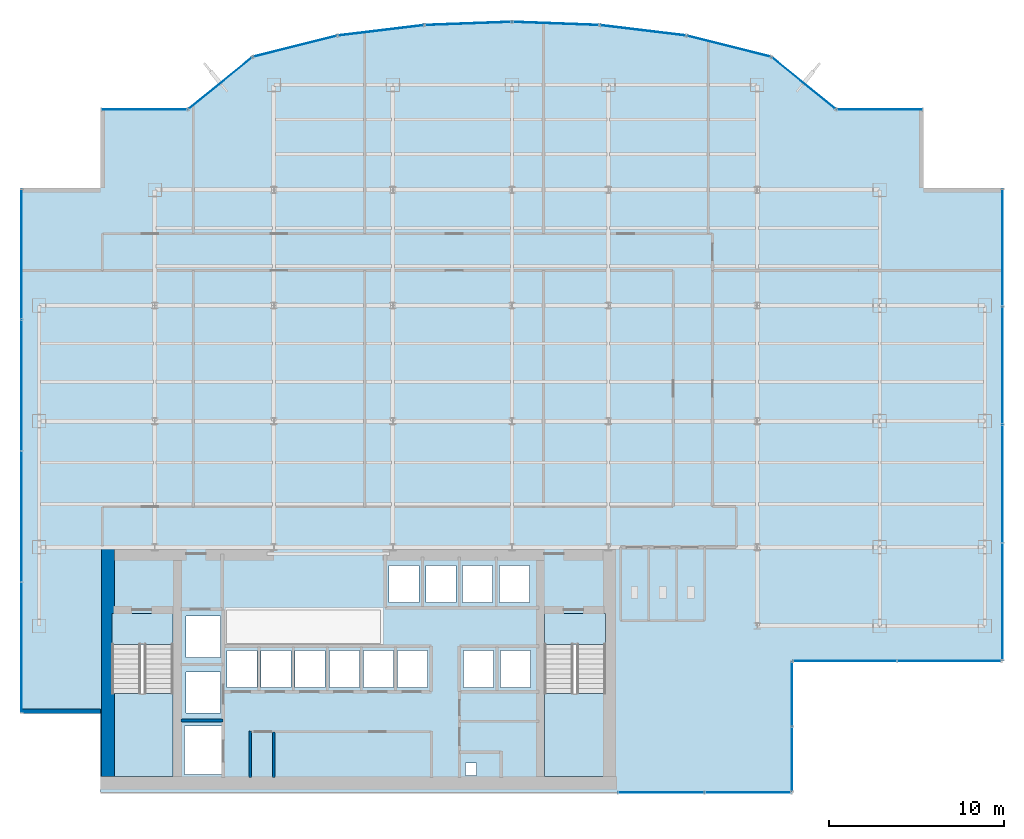
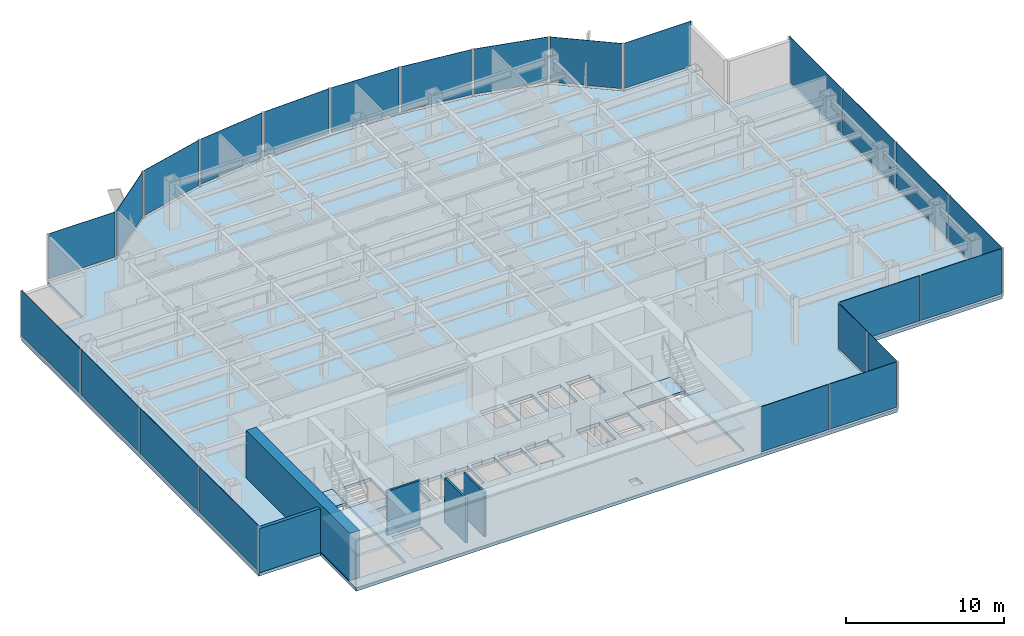
# One storey, part 20 of 26: 24 plates, 5 slabs, 5 walls, 17 elements without a shape of their own.
"""IFC4 building model written with IfcOpenShell, lengths in metres."""

from ifc_helpers import new_model, si_unit, derived_unit, direction, frame, frame_2d, origin, origin_2d, place, context, subcontext, project, spatial, polyline, rectangle, outline, extrude, source, transform, mapped, material, layer, layer_set, type_object, element, aggregate, save


model = new_model("IFC4")

# Units and contexts
model_context = context("Model", 3, precision=1e-05, world=origin(), true_north=direction((0.0, 1.0)))
body_context = subcontext(model_context, "Body", "Model", "MODEL_VIEW")
ifc_project = project(units=[si_unit("LENGTHUNIT", "METRE"), si_unit("AREAUNIT", "SQUARE_METRE"), si_unit("VOLUMEUNIT", "CUBIC_METRE"), si_unit("PLANEANGLEUNIT", "RADIAN"), si_unit("MASSUNIT", "GRAM", prefix="KILO"), derived_unit("THERMALTRANSMITTANCEUNIT", [(si_unit("POWERUNIT", "WATT"), 1), (si_unit("LENGTHUNIT", "METRE"), -2), (si_unit("THERMODYNAMICTEMPERATUREUNIT", "KELVIN"), -1)])], contexts=[model_context])

# Site, building, storey
site_placement = place(None, origin())
site = spatial("IfcSite", under=ifc_project, at=site_placement, CompositionType="ELEMENT")
building_placement = place(site_placement, origin())
building = spatial("IfcBuilding", under=site, at=building_placement, Name="Skarnbrae Concourse Arena and Tower", CompositionType="ELEMENT")
storey_placement = place(building_placement, frame((0.0, 0.0, 103.25)))
storey = spatial("IfcBuildingStorey", under=building, at=storey_placement, Name="L25", CompositionType="ELEMENT", Elevation=103.25)

# Stair, slab
ifc_material_1 = material(Name="Concrete 40 MPa (C40/50)", Category="concrete")
stair_type = type_object("IfcStairType", Name="STAIR-DOGLEG-1650", PredefinedType="HALF_TURN_STAIR", material=ifc_material_1)
stair_1_placement = place(storey_placement, origin())
stair_1 = element("IfcStair", 1, at=stair_1_placement, inside=storey, type_object=stair_type, Name="L25 Protected Exit Stair ST-1", PredefinedType="HALF_TURN_STAIR")
ifc_layer_1 = layer(ifc_material_1, 0.199951171875)
ifc_layer_set_1 = layer_set([ifc_layer_1], Name="Concrete 40 MPa (C40/50)")
slab_type_1 = type_object("IfcSlabType", Name="SLAB-LANDING-200", PredefinedType="LANDING", material=ifc_layer_set_1)
slab_1_placement = place(storey_placement, frame((0.0, 0.0, 1.625)))
slab_1 = element("IfcSlab", 2, at=slab_1_placement, type_object=slab_type_1, Name="ST-1 landing 1", PredefinedType="LANDING", context=body_context, shape_type="SweptSolid", body=[
    extrude(outline(polyline([(5.14990234375, 5.64990234375), (5.14990234375, 0.89990234375), (8.64990234375, 0.89990234375), (8.64990234375, 5.64990234375), (5.14990234375, 5.64990234375)])), origin(), (0.0, 0.0, 1.0), 0.199951171875),
])
aggregate(stair_1, [slab_1])

stair_2_placement = place(storey_placement, origin())
stair_2 = element("IfcStair", 3, at=stair_2_placement, inside=storey, type_object=stair_type, Name="L25 Protected Exit Stair ST-2", PredefinedType="HALF_TURN_STAIR")
slab_2_placement = place(storey_placement, frame((0.0, 0.0, 1.625)))
slab_2 = element("IfcSlab", 4, at=slab_2_placement, type_object=slab_type_1, Name="ST-2 landing 1", PredefinedType="LANDING", context=body_context, shape_type="SweptSolid", body=[
    extrude(outline(polyline([(29.85009765625, 5.64990234375), (29.85009765625, 0.89990234375), (33.35009765625, 0.89990234375), (33.35009765625, 5.64990234375), (29.85009765625, 5.64990234375)])), origin(), (0.0, 0.0, 1.0), 0.199951171875),
])
aggregate(stair_2, [slab_2])

# Slabs
slab_3_placement = place(storey_placement, frame((0.0, 0.0, -0.199951171875)))
element("IfcSlab", 5, at=slab_3_placement, inside=storey, type_object=slab_type_1, Name="L25 Core stair ST1 floor landing", PredefinedType="LANDING", context=body_context, shape_type="SweptSolid", body=[
    extrude(outline(polyline([(5.14990234375, 10.199951171875), (5.14990234375, 8.449951171875), (8.64990234375, 8.449951171875), (8.64990234375, 10.199951171875), (5.14990234375, 10.199951171875)])), origin(), (0.0, 0.0, 1.0), 0.199951171875),
])
slab_4_placement = place(storey_placement, frame((0.0, 0.0, -0.199951171875)))
element("IfcSlab", 6, at=slab_4_placement, inside=storey, type_object=slab_type_1, Name="L25 Core stair ST2 floor landing", PredefinedType="LANDING", context=body_context, shape_type="SweptSolid", body=[
    extrude(outline(polyline([(29.85009765625, 10.199951171875), (29.85009765625, 8.449951171875), (33.35009765625, 8.449951171875), (33.35009765625, 10.199951171875), (29.85009765625, 10.199951171875)])), origin(), (0.0, 0.0, 1.0), 0.199951171875),
])
ifc_layer_2 = layer(ifc_material_1, 0.25)
ifc_layer_set_2 = layer_set([ifc_layer_2], Name="Concrete 40 MPa (C40/50)")
slab_type_2 = type_object("IfcSlabType", Name="SLAB-TOWER-250", PredefinedType="FLOOR", material=ifc_layer_set_2)
slab_5_placement = place(storey_placement, frame((0.0, 0.0, -0.25)))
element("IfcSlab", 7, at=slab_5_placement, inside=storey, type_object=slab_type_2, Name="L25 Structural floor slab", PredefinedType="FLOOR", context=body_context, shape_type="SweptSolid", body=[
    extrude(outline(polyline([(4.5, 0.0), (44.0, 0.0), (44.0, 7.5), (56.0, 7.5), (56.0, 34.5), (51.5, 34.5), (51.5, 39.0), (46.5, 39.0), (42.81103515625, 41.99609375), (37.964111328125, 43.212890625), (32.998779296875, 43.81396484375), (28.0, 44.0), (23.001220703125, 43.81396484375), (18.035888671875, 43.212890625), (13.18896484375, 41.99609375), (9.5, 39.0), (4.5, 39.0), (4.5, 34.5), (0.0, 34.5), (0.0, 4.5), (4.5, 4.5), (4.5, 0.0)]), holes=[polyline([(9.294921875, 3.780029296875), (11.455078125, 3.780029296875), (11.455078125, 1.02001953125), (9.294921875, 1.02001953125), (9.294921875, 3.780029296875)]), polyline([(8.64990234375, 10.199951171875), (8.64990234375, 0.89990234375), (5.14990234375, 0.89990234375), (5.14990234375, 10.199951171875), (8.64990234375, 10.199951171875)]), polyline([(9.39501953125, 6.8798828125), (11.35498046875, 6.8798828125), (11.35498046875, 4.52001953125), (9.39501953125, 4.52001953125), (9.39501953125, 6.8798828125)]), polyline([(11.719970703125, 8.10498046875), (13.429931640625, 8.10498046875), (13.429931640625, 5.9951171875), (11.719970703125, 5.9951171875), (11.719970703125, 8.10498046875)]), polyline([(13.669921875, 8.10498046875), (15.3798828125, 8.10498046875), (15.3798828125, 5.9951171875), (13.669921875, 5.9951171875), (13.669921875, 8.10498046875)]), polyline([(15.6201171875, 8.10498046875), (17.330078125, 8.10498046875), (17.330078125, 5.9951171875), (15.6201171875, 5.9951171875), (15.6201171875, 8.10498046875)]), polyline([(17.570068359375, 8.10498046875), (19.280029296875, 8.10498046875), (19.280029296875, 5.9951171875), (17.570068359375, 5.9951171875), (17.570068359375, 8.10498046875)]), polyline([(21.22998046875, 8.10498046875), (21.22998046875, 5.9951171875), (19.52001953125, 5.9951171875), (19.52001953125, 8.10498046875), (21.22998046875, 8.10498046875)]), polyline([(11.35498046875, 10.054931640625), (11.35498046875, 7.695068359375), (9.39501953125, 7.695068359375), (9.39501953125, 10.054931640625), (11.35498046875, 10.054931640625)]), polyline([(25.35009765625, 1.669921875), (25.9599609375, 1.669921875), (25.9599609375, 0.949951171875), (25.35009765625, 0.949951171875), (25.35009765625, 1.669921875)]), polyline([(33.35009765625, 10.199951171875), (33.35009765625, 0.89990234375), (29.85009765625, 0.89990234375), (29.85009765625, 10.199951171875), (33.35009765625, 10.199951171875)]), polyline([(21.469970703125, 8.10498046875), (23.179931640625, 8.10498046875), (23.179931640625, 5.9951171875), (21.469970703125, 5.9951171875), (21.469970703125, 8.10498046875)]), polyline([(25.235107421875, 8.10498046875), (26.945068359375, 8.10498046875), (26.945068359375, 5.9951171875), (25.235107421875, 5.9951171875), (25.235107421875, 8.10498046875)]), polyline([(27.3349609375, 8.10498046875), (29.044921875, 8.10498046875), (29.044921875, 5.9951171875), (27.3349609375, 5.9951171875), (27.3349609375, 8.10498046875)]), polyline([(20.985107421875, 12.955078125), (22.695068359375, 12.955078125), (22.695068359375, 10.844970703125), (20.985107421875, 10.844970703125), (20.985107421875, 12.955078125)]), polyline([(23.0849609375, 12.955078125), (24.794921875, 12.955078125), (24.794921875, 10.844970703125), (23.0849609375, 10.844970703125), (23.0849609375, 12.955078125)]), polyline([(26.89501953125, 12.955078125), (26.89501953125, 10.844970703125), (25.18505859375, 10.844970703125), (25.18505859375, 12.955078125), (26.89501953125, 12.955078125)]), polyline([(28.9951171875, 12.955078125), (28.9951171875, 10.844970703125), (27.284912109375, 10.844970703125), (27.284912109375, 12.955078125), (28.9951171875, 12.955078125)])]), origin(), (0.0, 0.0, 1.0), 0.25),
])

# Curtain wall, plates
ifc_material_2 = material(Name="Bronze anodised aluminium 6063-T6", Category="aluminium")
curtain_wall_type_1 = type_object("IfcCurtainWallType", Name="CW-SYS-04-MIDZONE", PredefinedType="USERDEFINED", material=ifc_material_2)
curtain_wall_1_placement = place(storey_placement, origin())
curtain_wall_1 = element("IfcCurtainWall", 8, at=curtain_wall_1_placement, inside=storey, type_object=curtain_wall_type_1, Name="L25 Unitised curtain wall CW-L25-SE-SPINE", ObjectType="UNITISED CURTAIN WALL", PredefinedType="USERDEFINED")
ifc_material_3 = material(Name="Low-E triple insulating glass", Category="glass")
ifc_layer_3 = layer(ifc_material_3, 0.031982421875)
ifc_layer_set_3 = layer_set([ifc_layer_3], Name="Low-E triple insulating glass")
plate_type_1 = type_object("IfcPlateType", Name="CWP-CW-04", PredefinedType="CURTAIN_PANEL", material=ifc_layer_set_3)
shared_shape_1 = source(origin(), body_context, "Body", "SweptSolid", [
    extrude(rectangle(XDim=4.887451171875, YDim=0.031982421875, at=origin_2d()), origin(), (0.0, 0.0, 1.0), 3.489990234375),
])
plate_1_placement = place(storey_placement, frame((36.518798828125, 0.0, 0.16015625), z_axis=(0.0, 0.0, 1.0), x_axis=(1.0, 0.0, 0.0)))
plate_1 = element("IfcPlate", 9, at=plate_1_placement, type_object=plate_type_1, Name="CW-L25-SE-SPINE Low-E Glazing Panel 1", PredefinedType="CURTAIN_PANEL", context=body_context, shape_type="MappedRepresentation", body=[
    mapped(shared_shape_1, transform((0.0, 0.0, 0.0))),
])
plate_2_placement = place(storey_placement, frame((41.481201171875, 0.0, 0.16015625), z_axis=(0.0, 0.0, 1.0), x_axis=(1.0, 0.0, 0.0)))
plate_2 = element("IfcPlate", 10, at=plate_2_placement, type_object=plate_type_1, Name="CW-L25-SE-SPINE Low-E Glazing Panel 2", PredefinedType="CURTAIN_PANEL", context=body_context, shape_type="MappedRepresentation", body=[
    mapped(shared_shape_1, transform((0.0, 0.0, 0.0))),
])
aggregate(curtain_wall_1, [plate_1, plate_2])

curtain_wall_2_placement = place(storey_placement, origin())
curtain_wall_2 = element("IfcCurtainWall", 11, at=curtain_wall_2_placement, inside=storey, type_object=curtain_wall_type_1, Name="L25 Unitised curtain wall CW-L25-E02", ObjectType="UNITISED CURTAIN WALL", PredefinedType="USERDEFINED")
shared_shape_2 = source(origin(), body_context, "Body", "SweptSolid", [
    extrude(rectangle(XDim=3.637451171875, YDim=0.031982421875, at=origin_2d()), origin(), (0.0, 0.0, 1.0), 3.489990234375),
])
plate_3_placement = place(storey_placement, frame((44.0, 1.893798828125, 0.16015625), z_axis=(0.0, 0.0, 1.0), x_axis=(0.0, 1.0, 0.0)))
plate_3 = element("IfcPlate", 12, at=plate_3_placement, type_object=plate_type_1, Name="CW-L25-E02 Low-E Glazing Panel 1", PredefinedType="CURTAIN_PANEL", context=body_context, shape_type="MappedRepresentation", body=[
    mapped(shared_shape_2, transform((0.0, 0.0, 0.0))),
])
plate_4_placement = place(storey_placement, frame((44.0, 5.606201171875, 0.16015625), z_axis=(0.0, 0.0, 1.0), x_axis=(0.0, 1.0, 0.0)))
plate_4 = element("IfcPlate", 13, at=plate_4_placement, type_object=plate_type_1, Name="CW-L25-E02 Low-E Glazing Panel 2", PredefinedType="CURTAIN_PANEL", context=body_context, shape_type="MappedRepresentation", body=[
    mapped(shared_shape_2, transform((0.0, 0.0, 0.0))),
])
aggregate(curtain_wall_2, [plate_3, plate_4])

curtain_wall_3_placement = place(storey_placement, origin())
curtain_wall_3 = element("IfcCurtainWall", 14, at=curtain_wall_3_placement, inside=storey, type_object=curtain_wall_type_1, Name="L25 Unitised curtain wall CW-L25-E03", ObjectType="UNITISED CURTAIN WALL", PredefinedType="USERDEFINED")
shared_shape_3 = source(origin(), body_context, "Body", "SweptSolid", [
    extrude(rectangle(XDim=5.887451171875, YDim=0.031982421875, at=origin_2d()), origin(), (0.0, 0.0, 1.0), 3.489990234375),
])
plate_5_placement = place(storey_placement, frame((47.018798828125, 7.5, 0.16015625), z_axis=(0.0, 0.0, 1.0), x_axis=(1.0, 0.0, 0.0)))
plate_5 = element("IfcPlate", 15, at=plate_5_placement, type_object=plate_type_1, Name="CW-L25-E03 Low-E Glazing Panel 1", PredefinedType="CURTAIN_PANEL", context=body_context, shape_type="MappedRepresentation", body=[
    mapped(shared_shape_3, transform((0.0, 0.0, 0.0))),
])
plate_6_placement = place(storey_placement, frame((52.981201171875, 7.5, 0.16015625), z_axis=(0.0, 0.0, 1.0), x_axis=(1.0, 0.0, 0.0)))
plate_6 = element("IfcPlate", 16, at=plate_6_placement, type_object=plate_type_1, Name="CW-L25-E03 Low-E Glazing Panel 2", PredefinedType="CURTAIN_PANEL", context=body_context, shape_type="MappedRepresentation", body=[
    mapped(shared_shape_3, transform((0.0, 0.0, 0.0))),
])
aggregate(curtain_wall_3, [plate_5, plate_6])

# Curtain wall, plate
curtain_wall_4_placement = place(storey_placement, origin())
curtain_wall_4 = element("IfcCurtainWall", 17, at=curtain_wall_4_placement, inside=storey, type_object=curtain_wall_type_1, Name="L25 Unitised curtain wall CW-L25-E07", ObjectType="UNITISED CURTAIN WALL", PredefinedType="USERDEFINED")
shared_shape_4 = source(origin(), body_context, "Body", "SweptSolid", [
    extrude(rectangle(XDim=4.85009765625, YDim=0.031982421875, at=origin_2d()), origin(), (0.0, 0.0, 1.0), 3.489990234375),
])
plate_7_placement = place(storey_placement, frame((49.0, 39.0, 0.16015625), z_axis=(0.0, 0.0, 1.0), x_axis=(-1.0, 0.0, 0.0)))
plate_7 = element("IfcPlate", 18, at=plate_7_placement, type_object=plate_type_1, Name="CW-L25-E07 Low-E Glazing Panel 1", PredefinedType="CURTAIN_PANEL", context=body_context, shape_type="MappedRepresentation", body=[
    mapped(shared_shape_4, transform((0.0, 0.0, 0.0))),
])
aggregate(curtain_wall_4, [plate_7])

curtain_wall_5_placement = place(storey_placement, origin())
curtain_wall_5 = element("IfcCurtainWall", 19, at=curtain_wall_5_placement, inside=storey, type_object=curtain_wall_type_1, Name="L25 Unitised curtain wall CW-L25-E16", ObjectType="UNITISED CURTAIN WALL", PredefinedType="USERDEFINED")
plate_8_placement = place(storey_placement, frame((7.0, 39.0, 0.16015625), z_axis=(0.0, 0.0, 1.0), x_axis=(-1.0, 0.0, 0.0)))
plate_8 = element("IfcPlate", 20, at=plate_8_placement, type_object=plate_type_1, Name="CW-L25-E16 Low-E Glazing Panel 1", PredefinedType="CURTAIN_PANEL", context=body_context, shape_type="MappedRepresentation", body=[
    mapped(shared_shape_4, transform((0.0, 0.0, 0.0))),
])
aggregate(curtain_wall_5, [plate_8])

curtain_wall_6_placement = place(storey_placement, origin())
curtain_wall_6 = element("IfcCurtainWall", 21, at=curtain_wall_6_placement, inside=storey, type_object=curtain_wall_type_1, Name="L25 Unitised curtain wall CW-L25-E08", ObjectType="UNITISED CURTAIN WALL", PredefinedType="USERDEFINED")
shared_shape_5 = source(origin(), body_context, "Body", "SweptSolid", [
    extrude(rectangle(XDim=4.602294921875, YDim=0.031982421875, at=origin_2d()), origin(), (0.0, 0.0, 1.0), 3.489990234375),
])
plate_9_placement = place(storey_placement, frame((44.655517578125, 40.498046875, 0.16015625), z_axis=(0.0, 0.0, 1.0), x_axis=(-0.776241200471, 0.630436038542, 0.0)))
plate_9 = element("IfcPlate", 22, at=plate_9_placement, type_object=plate_type_1, Name="CW-L25-E08 Low-E Glazing Panel 1", PredefinedType="CURTAIN_PANEL", context=body_context, shape_type="MappedRepresentation", body=[
    mapped(shared_shape_5, transform((0.0, 0.0, 0.0))),
])
aggregate(curtain_wall_6, [plate_9])

curtain_wall_7_placement = place(storey_placement, origin())
curtain_wall_7 = element("IfcCurtainWall", 23, at=curtain_wall_7_placement, inside=storey, type_object=curtain_wall_type_1, Name="L25 Unitised curtain wall CW-L25-E15", ObjectType="UNITISED CURTAIN WALL", PredefinedType="USERDEFINED")
plate_10_placement = place(storey_placement, frame((11.344482421875, 40.498046875, 0.16015625), z_axis=(0.0, 0.0, 1.0), x_axis=(-0.776241200471, -0.630436038542, 0.0)))
plate_10 = element("IfcPlate", 24, at=plate_10_placement, type_object=plate_type_1, Name="CW-L25-E15 Low-E Glazing Panel 1", PredefinedType="CURTAIN_PANEL", context=body_context, shape_type="MappedRepresentation", body=[
    mapped(shared_shape_5, transform((0.0, 0.0, 0.0))),
])
aggregate(curtain_wall_7, [plate_10])

# Curtain wall, plates
curtain_wall_8_placement = place(storey_placement, origin())
curtain_wall_8 = element("IfcCurtainWall", 25, at=curtain_wall_8_placement, inside=storey, type_object=curtain_wall_type_1, Name="L25 Unitised curtain wall CW-L25-E19", ObjectType="UNITISED CURTAIN WALL", PredefinedType="USERDEFINED")
shared_shape_6 = source(origin(), body_context, "Body", "SweptSolid", [
    extrude(rectangle(XDim=7.387451171875, YDim=0.031982421875, at=origin_2d()), origin(), (0.0, 0.0, 1.0), 3.489990234375),
])
plate_11_placement = place(storey_placement, frame((0.0, 30.731201171875, 0.16015625), z_axis=(0.0, 0.0, 1.0), x_axis=(0.0, -1.0, 0.0)))
plate_11 = element("IfcPlate", 26, at=plate_11_placement, type_object=plate_type_1, Name="CW-L25-E19 Low-E Glazing Panel 1", PredefinedType="CURTAIN_PANEL", context=body_context, shape_type="MappedRepresentation", body=[
    mapped(shared_shape_6, transform((0.0, 0.0, 0.0))),
])
plate_12_placement = place(storey_placement, frame((0.0, 8.268798828125, 0.16015625), z_axis=(0.0, 0.0, 1.0), x_axis=(0.0, -1.0, 0.0)))
plate_12 = element("IfcPlate", 27, at=plate_12_placement, type_object=plate_type_1, Name="CW-L25-E19 Low-E Glazing Panel 4", PredefinedType="CURTAIN_PANEL", context=body_context, shape_type="MappedRepresentation", body=[
    mapped(shared_shape_6, transform((0.0, 0.0, 0.0))),
])
shared_shape_7 = source(origin(), body_context, "Body", "SweptSolid", [
    extrude(rectangle(XDim=7.425048828125, YDim=0.031982421875, at=origin_2d()), origin(), (0.0, 0.0, 1.0), 3.489990234375),
])
plate_13_placement = place(storey_placement, frame((0.0, 23.25, 0.16015625), z_axis=(0.0, 0.0, 1.0), x_axis=(0.0, -1.0, 0.0)))
plate_13 = element("IfcPlate", 28, at=plate_13_placement, type_object=plate_type_1, Name="CW-L25-E19 Low-E Glazing Panel 2", PredefinedType="CURTAIN_PANEL", context=body_context, shape_type="MappedRepresentation", body=[
    mapped(shared_shape_7, transform((0.0, 0.0, 0.0))),
])
plate_14_placement = place(storey_placement, frame((0.0, 15.75, 0.16015625), z_axis=(0.0, 0.0, 1.0), x_axis=(0.0, -1.0, 0.0)))
plate_14 = element("IfcPlate", 29, at=plate_14_placement, type_object=plate_type_1, Name="CW-L25-E19 Low-E Glazing Panel 3", PredefinedType="CURTAIN_PANEL", context=body_context, shape_type="MappedRepresentation", body=[
    mapped(shared_shape_7, transform((0.0, 0.0, 0.0))),
])
aggregate(curtain_wall_8, [plate_11, plate_13, plate_14, plate_12])

curtain_wall_9_placement = place(storey_placement, origin())
curtain_wall_9 = element("IfcCurtainWall", 30, at=curtain_wall_9_placement, inside=storey, type_object=curtain_wall_type_1, Name="L25 Unitised curtain wall CW-L25-E04", ObjectType="UNITISED CURTAIN WALL", PredefinedType="USERDEFINED")
shared_shape_8 = source(origin(), body_context, "Body", "SweptSolid", [
    extrude(rectangle(XDim=6.637451171875, YDim=0.031982421875, at=origin_2d()), origin(), (0.0, 0.0, 1.0), 3.489990234375),
])
plate_15_placement = place(storey_placement, frame((56.0, 10.893798828125, 0.16015625), z_axis=(0.0, 0.0, 1.0), x_axis=(0.0, 1.0, 0.0)))
plate_15 = element("IfcPlate", 31, at=plate_15_placement, type_object=plate_type_1, Name="CW-L25-E04 Low-E Glazing Panel 1", PredefinedType="CURTAIN_PANEL", context=body_context, shape_type="MappedRepresentation", body=[
    mapped(shared_shape_8, transform((0.0, 0.0, 0.0))),
])
plate_16_placement = place(storey_placement, frame((56.0, 31.106201171875, 0.16015625), z_axis=(0.0, 0.0, 1.0), x_axis=(0.0, 1.0, 0.0)))
plate_16 = element("IfcPlate", 32, at=plate_16_placement, type_object=plate_type_1, Name="CW-L25-E04 Low-E Glazing Panel 4", PredefinedType="CURTAIN_PANEL", context=body_context, shape_type="MappedRepresentation", body=[
    mapped(shared_shape_8, transform((0.0, 0.0, 0.0))),
])
shared_shape_9 = source(origin(), body_context, "Body", "SweptSolid", [
    extrude(rectangle(XDim=6.675048828125, YDim=0.031982421875, at=origin_2d()), origin(), (0.0, 0.0, 1.0), 3.489990234375),
])
plate_17_placement = place(storey_placement, frame((56.0, 17.625, 0.16015625), z_axis=(0.0, 0.0, 1.0), x_axis=(0.0, 1.0, 0.0)))
plate_17 = element("IfcPlate", 33, at=plate_17_placement, type_object=plate_type_1, Name="CW-L25-E04 Low-E Glazing Panel 2", PredefinedType="CURTAIN_PANEL", context=body_context, shape_type="MappedRepresentation", body=[
    mapped(shared_shape_9, transform((0.0, 0.0, 0.0))),
])
plate_18_placement = place(storey_placement, frame((56.0, 24.375, 0.16015625), z_axis=(0.0, 0.0, 1.0), x_axis=(0.0, 1.0, 0.0)))
plate_18 = element("IfcPlate", 34, at=plate_18_placement, type_object=plate_type_1, Name="CW-L25-E04 Low-E Glazing Panel 3", PredefinedType="CURTAIN_PANEL", context=body_context, shape_type="MappedRepresentation", body=[
    mapped(shared_shape_9, transform((0.0, 0.0, 0.0))),
])
aggregate(curtain_wall_9, [plate_15, plate_17, plate_18, plate_16])

# Curtain wall, plate
curtain_wall_type_2 = type_object("IfcCurtainWallType", Name="CW-SYS-03-PORTAL", PredefinedType="USERDEFINED", material=ifc_material_2)
curtain_wall_10_placement = place(storey_placement, origin())
curtain_wall_10 = element("IfcCurtainWall", 35, at=curtain_wall_10_placement, inside=storey, type_object=curtain_wall_type_2, Name="L25 Unitised curtain wall CW-L25-E09", ObjectType="UNITISED CURTAIN WALL", PredefinedType="USERDEFINED")
ifc_layer_4 = layer(ifc_material_3, 0.033935546875)
ifc_layer_set_4 = layer_set([ifc_layer_4], Name="Low-E triple insulating glass")
plate_type_2 = type_object("IfcPlateType", Name="CWP-CW-03", PredefinedType="CURTAIN_PANEL", material=ifc_layer_set_4)
shared_shape_10 = source(origin(), body_context, "Body", "SweptSolid", [
    extrude(rectangle(XDim=4.83740234375, YDim=0.033935546875, at=origin_2d()), origin(), (0.0, 0.0, 1.0), 3.47998046875),
])
plate_19_placement = place(storey_placement, frame((40.3876953125, 42.6044921875, 0.169921875), z_axis=(0.0, 0.0, 1.0), x_axis=(-0.969903046166, 0.243491439351, 0.0)))
plate_19 = element("IfcPlate", 36, at=plate_19_placement, type_object=plate_type_2, Name="CW-L25-E09 Low-E Glazing Panel 1", PredefinedType="CURTAIN_PANEL", context=body_context, shape_type="MappedRepresentation", body=[
    mapped(shared_shape_10, transform((0.0, 0.0, 0.0))),
])
aggregate(curtain_wall_10, [plate_19])

curtain_wall_11_placement = place(storey_placement, origin())
curtain_wall_11 = element("IfcCurtainWall", 37, at=curtain_wall_11_placement, inside=storey, type_object=curtain_wall_type_2, Name="L25 Unitised curtain wall CW-L25-E14", ObjectType="UNITISED CURTAIN WALL", PredefinedType="USERDEFINED")
plate_20_placement = place(storey_placement, frame((15.6123046875, 42.6044921875, 0.169921875), z_axis=(0.0, 0.0, 1.0), x_axis=(-0.969903046166, -0.243491439351, 0.0)))
plate_20 = element("IfcPlate", 38, at=plate_20_placement, type_object=plate_type_2, Name="CW-L25-E14 Low-E Glazing Panel 1", PredefinedType="CURTAIN_PANEL", context=body_context, shape_type="MappedRepresentation", body=[
    mapped(shared_shape_10, transform((0.0, 0.0, 0.0))),
])
aggregate(curtain_wall_11, [plate_20])

curtain_wall_12_placement = place(storey_placement, origin())
curtain_wall_12 = element("IfcCurtainWall", 39, at=curtain_wall_12_placement, inside=storey, type_object=curtain_wall_type_2, Name="L25 Unitised curtain wall CW-L25-E10", ObjectType="UNITISED CURTAIN WALL", PredefinedType="USERDEFINED")
shared_shape_11 = source(origin(), body_context, "Body", "SweptSolid", [
    extrude(rectangle(XDim=4.841552734375, YDim=0.033935546875, at=origin_2d()), origin(), (0.0, 0.0, 1.0), 3.47998046875),
])
plate_21_placement = place(storey_placement, frame((35.4814453125, 43.513427734375, 0.169921875), z_axis=(0.0, 0.0, 1.0), x_axis=(-0.992749371969, 0.120202680731, 0.0)))
plate_21 = element("IfcPlate", 40, at=plate_21_placement, type_object=plate_type_2, Name="CW-L25-E10 Low-E Glazing Panel 1", PredefinedType="CURTAIN_PANEL", context=body_context, shape_type="MappedRepresentation", body=[
    mapped(shared_shape_11, transform((0.0, 0.0, 0.0))),
])
aggregate(curtain_wall_12, [plate_21])

curtain_wall_13_placement = place(storey_placement, origin())
curtain_wall_13 = element("IfcCurtainWall", 41, at=curtain_wall_13_placement, inside=storey, type_object=curtain_wall_type_2, Name="L25 Unitised curtain wall CW-L25-E13", ObjectType="UNITISED CURTAIN WALL", PredefinedType="USERDEFINED")
plate_22_placement = place(storey_placement, frame((20.5185546875, 43.513427734375, 0.169921875), z_axis=(0.0, 0.0, 1.0), x_axis=(-0.992749371969, -0.120202680731, 0.0)))
plate_22 = element("IfcPlate", 42, at=plate_22_placement, type_object=plate_type_2, Name="CW-L25-E13 Low-E Glazing Panel 1", PredefinedType="CURTAIN_PANEL", context=body_context, shape_type="MappedRepresentation", body=[
    mapped(shared_shape_11, transform((0.0, 0.0, 0.0))),
])
aggregate(curtain_wall_13, [plate_22])

curtain_wall_14_placement = place(storey_placement, origin())
curtain_wall_14 = element("IfcCurtainWall", 43, at=curtain_wall_14_placement, inside=storey, type_object=curtain_wall_type_2, Name="L25 Unitised curtain wall CW-L25-E11", ObjectType="UNITISED CURTAIN WALL", PredefinedType="USERDEFINED")
shared_shape_12 = source(origin(), body_context, "Body", "SweptSolid", [
    extrude(rectangle(XDim=4.84228515625, YDim=0.033935546875, at=origin_2d()), origin(), (0.0, 0.0, 1.0), 3.47998046875),
])
plate_23_placement = place(storey_placement, frame((30.49951171875, 43.906982421875, 0.169921875), z_axis=(0.0, 0.0, 1.0), x_axis=(-0.999308486252, 0.037182647889, 0.0)))
plate_23 = element("IfcPlate", 44, at=plate_23_placement, type_object=plate_type_2, Name="CW-L25-E11 Low-E Glazing Panel 1", PredefinedType="CURTAIN_PANEL", context=body_context, shape_type="MappedRepresentation", body=[
    mapped(shared_shape_12, transform((0.0, 0.0, 0.0))),
])
aggregate(curtain_wall_14, [plate_23])

curtain_wall_15_placement = place(storey_placement, origin())
curtain_wall_15 = element("IfcCurtainWall", 45, at=curtain_wall_15_placement, inside=storey, type_object=curtain_wall_type_2, Name="L25 Unitised curtain wall CW-L25-E12", ObjectType="UNITISED CURTAIN WALL", PredefinedType="USERDEFINED")
plate_24_placement = place(storey_placement, frame((25.50048828125, 43.906982421875, 0.169921875), z_axis=(0.0, 0.0, 1.0), x_axis=(-0.999308486252, -0.037182647889, 0.0)))
plate_24 = element("IfcPlate", 46, at=plate_24_placement, type_object=plate_type_2, Name="CW-L25-E12 Low-E Glazing Panel 1", PredefinedType="CURTAIN_PANEL", context=body_context, shape_type="MappedRepresentation", body=[
    mapped(shared_shape_12, transform((0.0, 0.0, 0.0))),
])
aggregate(curtain_wall_15, [plate_24])

# Walls
ifc_material_4 = material(Name="Concrete 60 MPa (C60/75)", Category="concrete")
ifc_layer_5 = layer(ifc_material_4, 0.75)
ifc_layer_set_5 = layer_set([ifc_layer_5], Name="Concrete 60 MPa (C60/75)")
wall_type_1 = type_object("IfcWallType", Name="WALL-CORE-750-C60", PredefinedType="SHEAR", material=ifc_layer_set_5)
shared_shape_13 = source(origin(), body_context, "Body", "SweptSolid", [
    extrude(rectangle(XDim=13.10009765625, YDim=0.75, at=frame_2d((6.550048828125, 0.0))), origin(), (0.0, 0.0, 1.0), 3.64990234375),
])
wall_1_placement = place(storey_placement, frame((4.925048828125, 0.89990234375, 0.0), z_axis=(0.0, 0.0, 1.0), x_axis=(0.0, 1.0, 0.0)))
element("IfcWall", 47, at=wall_1_placement, inside=storey, type_object=wall_type_1, Name="L25 Rear core shear wall CW-W", PredefinedType="SHEAR", context=body_context, shape_type="MappedRepresentation", body=[
    mapped(shared_shape_13, transform((0.0, 0.0, 0.0))),
])
ifc_material_5 = material(Name="Precast concrete 40 MPa (C40/50)", Category="concrete")
ifc_layer_6 = layer(ifc_material_5, 0.25)
ifc_layer_set_6 = layer_set([ifc_layer_6], Name="Precast concrete 40 MPa (C40/50)")
wall_type_2 = type_object("IfcWallType", Name="WALL-EXT-SPANDREL-250", PredefinedType="STANDARD", material=ifc_layer_set_6)
shared_shape_14 = source(origin(), body_context, "Body", "SweptSolid", [
    extrude(rectangle(XDim=4.5, YDim=0.25, at=frame_2d((2.25, 0.0))), origin(), (0.0, 0.0, 1.0), 3.39990234375),
])
wall_2_placement = place(storey_placement, frame((0.0, 4.625, 0.0), z_axis=(0.0, 0.0, 1.0), x_axis=(1.0, 0.0, 0.0)))
element("IfcWall", 48, at=wall_2_placement, inside=storey, type_object=wall_type_2, Name="L25 Notched corner insulated return wall 20", PredefinedType="STANDARD", context=body_context, shape_type="MappedRepresentation", body=[
    mapped(shared_shape_14, transform((0.0, 0.0, 0.0))),
])
ifc_material_6 = material(Name="Gypsum board on cold-formed steel studs", Category="steel")
ifc_layer_7 = layer(ifc_material_6, 0.14990234375)
ifc_layer_set_7 = layer_set([ifc_layer_7], Name="Gypsum board on cold-formed steel studs")
wall_type_3 = type_object("IfcWallType", Name="WALL-PART-150", PredefinedType="PARTITIONING", material=ifc_layer_set_7)
shared_shape_15 = source(origin(), body_context, "Body", "SweptSolid", [
    extrude(rectangle(XDim=2.39990234375, YDim=0.14990234375, at=frame_2d((1.199951171875, 0.0))), origin(), (0.0, 0.0, 1.0), 3.39990234375),
])
wall_3_placement = place(storey_placement, frame((9.10009765625, 4.10009765625, 0.0), z_axis=(0.0, 0.0, 1.0), x_axis=(1.0, 0.0, 0.0)))
element("IfcWall", 49, at=wall_3_placement, inside=storey, type_object=wall_type_3, Name="L25 Interior partition wall W-L25-FL-D1", PredefinedType="PARTITIONING", context=body_context, shape_type="MappedRepresentation", body=[
    mapped(shared_shape_15, transform((0.0, 0.0, 0.0))),
])
shared_shape_16 = source(origin(), body_context, "Body", "SweptSolid", [
    extrude(rectangle(XDim=2.599853515625, YDim=0.14990234375, at=frame_2d((1.2998046875, 0.0))), origin(), (0.0, 0.0, 1.0), 3.39990234375),
])
wall_4_placement = place(storey_placement, frame((14.39990234375, 0.85009765625, 0.0), z_axis=(0.0, 0.0, 1.0), x_axis=(0.0, 1.0, 0.0)))
element("IfcWall", 50, at=wall_4_placement, inside=storey, type_object=wall_type_3, Name="L25 Interior partition wall W-L25-B1M-C1", PredefinedType="PARTITIONING", context=body_context, shape_type="MappedRepresentation", body=[
    mapped(shared_shape_16, transform((0.0, 0.0, 0.0))),
])
ifc_layer_8 = layer(ifc_material_6, 0.14990234375)
ifc_layer_set_8 = layer_set([ifc_layer_8], Name="Gypsum board on cold-formed steel studs")
wall_type_4 = type_object("IfcWallType", Name="WALL-PART-150-1HR", PredefinedType="PARTITIONING", material=ifc_layer_set_8)
shared_shape_17 = source(origin(), body_context, "Body", "SweptSolid", [
    extrude(rectangle(XDim=2.64990234375, YDim=0.14990234375, at=frame_2d((1.324951171875, 0.0))), origin(), (0.0, 0.0, 1.0), 3.39990234375),
])
wall_5_placement = place(storey_placement, frame((13.050048828125, 0.85009765625, 0.0), z_axis=(0.0, 0.0, 1.0), x_axis=(0.0, 1.0, 0.0)))
element("IfcWall", 51, at=wall_5_placement, inside=storey, type_object=wall_type_4, Name="L25 Interior partition wall W-L25-B1M-W", PredefinedType="PARTITIONING", context=body_context, shape_type="MappedRepresentation", body=[
    mapped(shared_shape_17, transform((0.0, 0.0, 0.0))),
])

save(model, "model.ifc")
